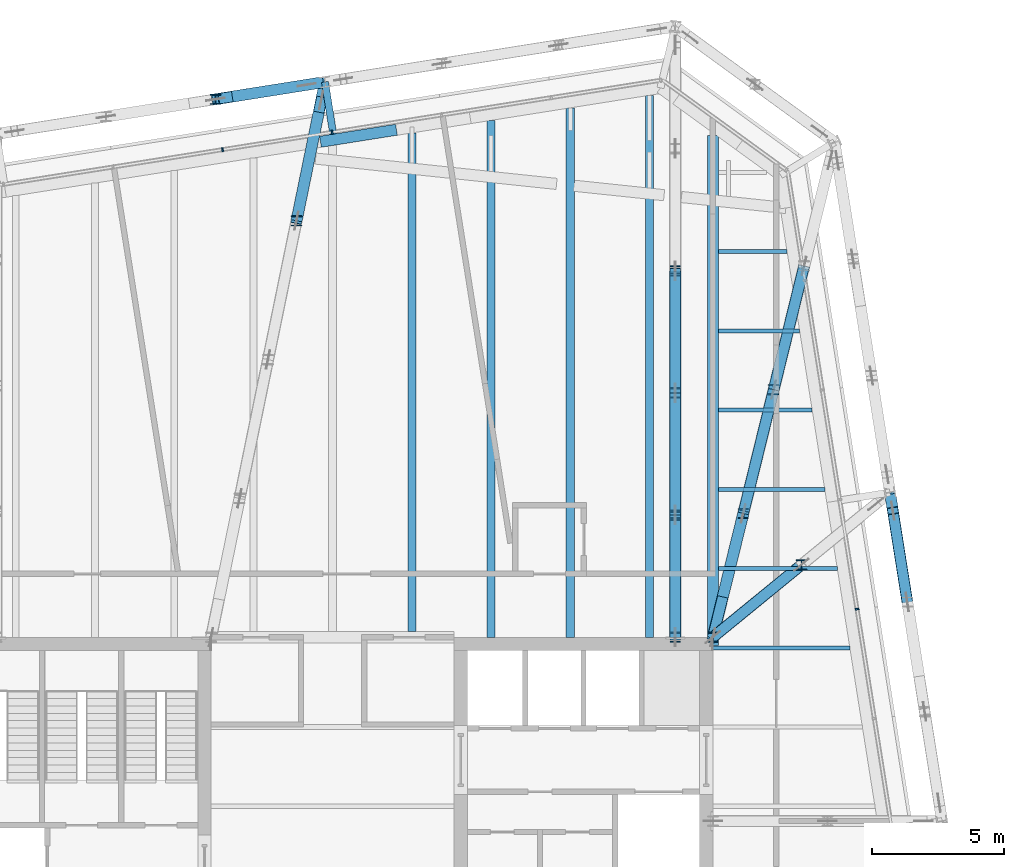
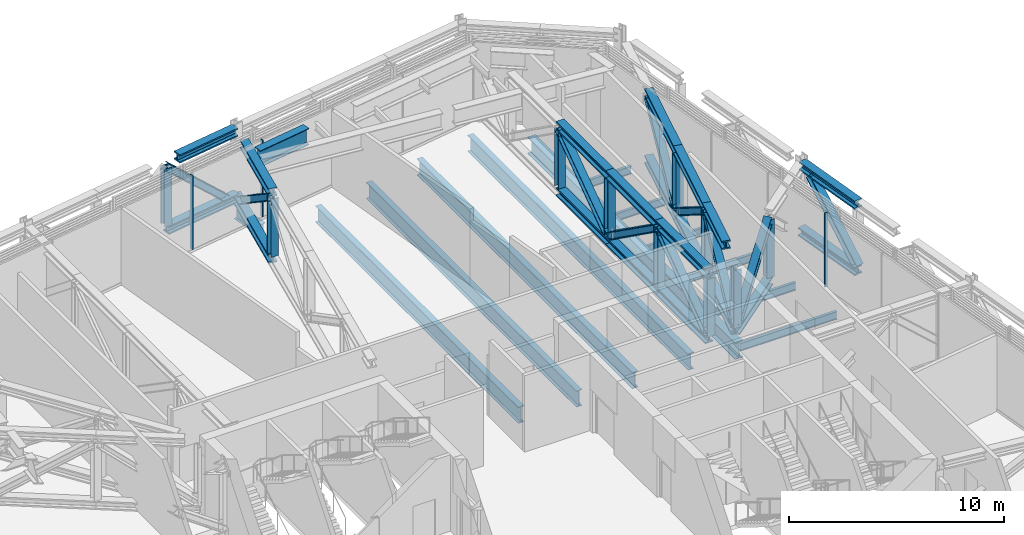
# One storey, part 17 of 32: 32 beams, 23 members, 2 elements without a shape of their own.
"""IFC4 building model written with IfcOpenShell, lengths in metres."""

from ifc_helpers import new_model, si_unit, direction, frame, origin, origin_2d, place, context, subcontext, project, spatial, rectangle, i_section, extrude, material, layer, layer_set, material_profile, profile_set, type_object, element, aggregate, save


model = new_model("IFC4")

# Units and contexts
model_context = context("Model", 3, precision=1e-05, world=origin(), true_north=direction((0.0, 1.0)))
body_context = subcontext(model_context, "Body", "Model", "MODEL_VIEW")
ifc_project = project(units=[si_unit("LENGTHUNIT", "METRE"), si_unit("AREAUNIT", "SQUARE_METRE"), si_unit("VOLUMEUNIT", "CUBIC_METRE"), si_unit("PLANEANGLEUNIT", "RADIAN"), si_unit("MASSUNIT", "GRAM", prefix="KILO")], contexts=[model_context])

# Site, building, storey
site_placement = place(None, origin())
site = spatial("IfcSite", under=ifc_project, at=site_placement, CompositionType="ELEMENT")
building_placement = place(site_placement, origin())
building = spatial("IfcBuilding", under=site, at=building_placement, Name="Millrace Tower", CompositionType="ELEMENT")
storey_placement = place(building_placement, frame((0.0, 0.0, 266.89990234375)))
storey = spatial("IfcBuildingStorey", under=building, at=storey_placement, Name="L61", CompositionType="ELEMENT", Elevation=266.89990234375)

# Beams
ifc_material_1 = material(Name="Steel ASTM A992 Grade 50", Category="steel")
ifc_material_profile_1 = material_profile(ifc_material_1, i_section(OverallWidth=0.424072265625, OverallDepth=0.47509765625, WebThickness=0.0478515625, FlangeThickness=0.0771484375, FilletRadius=0.014892578125, at=origin_2d()))
ifc_profile_set_1 = profile_set([ifc_material_profile_1], Name="Steel ASTM A992 Grade 50")
beam_type_1 = type_object("IfcBeamType", Name="Belt truss chord W14x426", PredefinedType="BEAM", material=ifc_profile_set_1)
beam_1_placement = place(storey_placement, frame((21.763671875, 10.735107421875, 0.237548828125), z_axis=(-0.156428225752, 0.987689328781, 0.0), x_axis=(-0.987689328781, -0.156428225752, 0.0)))
element("IfcBeam", 1, at=beam_1_placement, inside=storey, type_object=beam_type_1, Name="BLT-L61-R07-B03", PredefinedType="BEAM", context=body_context, shape_type="SweptSolid", body=[
    extrude(i_section(OverallWidth=0.424072265625, OverallDepth=0.47509765625, WebThickness=0.0478515625, FlangeThickness=0.0771484375, FilletRadius=0.014892578125, at=origin_2d()), origin(), (0.0, 0.0, 1.0), 4.199951171875),
])
beam_2_placement = place(storey_placement, frame((-0.288330078125, 30.427734375, 0.237548828125), z_axis=(-0.987690751091, -0.156419245009, 0.0), x_axis=(0.156419245009, -0.987690751091, 0.0)))
element("IfcBeam", 2, at=beam_2_placement, inside=storey, type_object=beam_type_1, Name="BLT-L61-R11-B01", PredefinedType="BEAM", context=body_context, shape_type="SweptSolid", body=[
    extrude(i_section(OverallWidth=0.424072265625, OverallDepth=0.47509765625, WebThickness=0.0478515625, FlangeThickness=0.0771484375, FilletRadius=0.014892578125, at=origin_2d()), origin(), (0.0, 0.0, 1.0), 4.2001953125),
])
beam_3_placement = place(storey_placement, frame((21.763671875, 10.735107421875, 4.002685546875), z_axis=(-0.156426506822, 0.98768960102, 0.0), x_axis=(-0.98768960102, -0.156426506822, 0.0)))
element("IfcBeam", 3, at=beam_3_placement, inside=storey, type_object=beam_type_1, Name="BLT-L61-R07-T03", PredefinedType="BEAM", context=body_context, shape_type="SweptSolid", body=[
    extrude(i_section(OverallWidth=0.424072265625, OverallDepth=0.47509765625, WebThickness=0.0478515625, FlangeThickness=0.0771484375, FilletRadius=0.014892578125, at=origin_2d()), origin(), (0.0, 0.0, 1.0), 4.13427734375),
])
beam_4_placement = place(storey_placement, frame((-0.353271484375, 30.41748046875, 4.002685546875), z_axis=(-0.987686225577, -0.156447818155, 0.0), x_axis=(0.156447818155, -0.987686225577, 0.0)))
element("IfcBeam", 4, at=beam_4_placement, inside=storey, type_object=beam_type_1, Name="BLT-L61-R11-T01", PredefinedType="BEAM", context=body_context, shape_type="SweptSolid", body=[
    extrude(i_section(OverallWidth=0.424072265625, OverallDepth=0.47509765625, WebThickness=0.0478515625, FlangeThickness=0.0771484375, FilletRadius=0.014892578125, at=origin_2d()), origin(), (0.0, 0.0, 1.0), 3.48779296875),
])

# Members
ifc_material_2 = material(Name="Steel ASTM A992 Grade 50", Category="steel")
ifc_material_profile_2 = material_profile(ifc_material_2, i_section(OverallWidth=0.398681640625, OverallDepth=0.385986328125, WebThickness=0.02099609375, FlangeThickness=0.033203125, FilletRadius=0.01513671875, at=origin_2d()))
ifc_profile_set_2 = profile_set([ifc_material_profile_2], Name="Steel ASTM A992 Grade 50")
member_type_1 = type_object("IfcMemberType", Name="Belt truss diagonal W14x176", PredefinedType="BRACE", material=ifc_profile_set_2)
member_1_placement = place(storey_placement, frame((21.763671875, 10.735107421875, 0.47509765625), z_axis=(-0.114001763677, 0.719639309811, 0.684925442405), x_axis=(-0.987683654859, -0.156464046744, 0.0)))
element("IfcMember", 5, at=member_1_placement, inside=storey, type_object=member_type_1, Name="BLT-L61-R07-D03", PredefinedType="BRACE", context=body_context, shape_type="SweptSolid", body=[
    extrude(i_section(OverallWidth=0.398681640625, OverallDepth=0.385986328125, WebThickness=0.02099609375, FlangeThickness=0.033203125, FilletRadius=0.01513671875, at=origin_2d()), origin(), (0.0, 0.0, 1.0), 4.803466796875),
])
member_2_placement = place(storey_placement, frame((-0.979736328125, 30.318359375, 0.47509765625), z_axis=(-0.719663812455, -0.113997594021, 0.684900391006), x_axis=(0.156453267504, -0.987685362394, 0.0)))
element("IfcMember", 6, at=member_2_placement, inside=storey, type_object=member_type_1, Name="BLT-L61-R11-D01", PredefinedType="BRACE", context=body_context, shape_type="SweptSolid", body=[
    extrude(i_section(OverallWidth=0.398681640625, OverallDepth=0.385986328125, WebThickness=0.02099609375, FlangeThickness=0.033203125, FilletRadius=0.01513671875, at=origin_2d()), origin(), (0.0, 0.0, 1.0), 4.8037109375),
])
ifc_material_3 = material(Name="Steel ASTM A992 Grade 50", Category="steel")
ifc_material_profile_3 = material_profile(ifc_material_3, i_section(OverallWidth=0.393798828125, OverallDepth=0.3759765625, WebThickness=0.017333984375, FlangeThickness=0.027587890625, FilletRadius=0.01513671875, at=origin_2d()))
ifc_profile_set_3 = profile_set([ifc_material_profile_3], Name="Steel ASTM A992 Grade 50")
member_type_2 = type_object("IfcMemberType", Name="Belt truss post W14x145", PredefinedType="POST", material=ifc_profile_set_3)
member_3_placement = place(storey_placement, frame((-4.436767578125, 29.770751953125, 0.47509765625), z_axis=(0.0, 0.0, 1.0), x_axis=(1.0, 0.0, 0.0)))
element("IfcMember", 7, at=member_3_placement, inside=storey, type_object=member_type_2, Name="BLT-L61-R11-V01", PredefinedType="POST", context=body_context, shape_type="SweptSolid", body=[
    extrude(i_section(OverallWidth=0.393798828125, OverallDepth=0.3759765625, WebThickness=0.017333984375, FlangeThickness=0.027587890625, FilletRadius=0.01513671875, at=origin_2d()), origin(), (0.0, 0.0, 1.0), 3.2900390625),
])

# Curtain wall, member
ifc_material_4 = material(Name="Aluminium and glass", Category="aluminium")
ifc_layer = layer(ifc_material_4, 0.14990234375)
ifc_layer_set = layer_set([ifc_layer], Name="Aluminium and glass")
curtain_wall_type = type_object("IfcCurtainWallType", Name="CW-5 truss and plant storey louvred infill", PredefinedType="NOTDEFINED", material=ifc_layer_set)
placement = place(storey_placement, origin())
curtain_wall_1 = element("IfcCurtainWall", 8, at=placement, inside=storey, type_object=curtain_wall_type, Name="Curtain wall D-F04 L61", PredefinedType="NOTDEFINED")
ifc_material_5 = material(Name="Aluminium", Category="aluminium")
ifc_material_profile_4 = material_profile(ifc_material_5, rectangle(XDim=0.06494140625, YDim=0.14990234375, at=origin_2d()))
ifc_profile_set_4 = profile_set([ifc_material_profile_4], Name="Aluminium")
member_type_3 = type_object("IfcMemberType", Name="CW-5 truss and plant storey louvred infill mullion", PredefinedType="MULLION", material=ifc_profile_set_4)
member_4_placement = place(storey_placement, frame((19.857421875, 10.466064453125, 0.14013671875), z_axis=(0.0, 0.0, 1.0), x_axis=(-0.156434471884, 0.987688339511, 0.0)))
member_4 = element("IfcMember", 9, at=member_4_placement, type_object=member_type_3, Name="CW5 mullion D-F04.6", PredefinedType="MULLION", context=body_context, shape_type="SweptSolid", body=[
    extrude(rectangle(XDim=0.06494140625, YDim=0.14990234375, at=origin_2d()), origin(), (0.0, 0.0, 1.0), 4.199951171875),
])
aggregate(curtain_wall_1, [member_4])

# Curtain wall, members
curtain_wall_2 = element("IfcCurtainWall", 10, at=placement, inside=storey, type_object=curtain_wall_type, Name="Curtain wall D-F06 L61", PredefinedType="NOTDEFINED")
member_5_placement = place(storey_placement, frame((-0.019287109375, 28.521240234375, 0.14013671875), z_axis=(0.0, 0.0, 1.0), x_axis=(-0.987688339511, -0.156434471884, 0.0)))
member_5 = element("IfcMember", 11, at=member_5_placement, type_object=member_type_3, Name="CW5 mullion D-F06.4", PredefinedType="MULLION", context=body_context, shape_type="SweptSolid", body=[
    extrude(rectangle(XDim=0.06494140625, YDim=0.14990234375, at=origin_2d()), origin(), (0.0, 0.0, 1.0), 4.35986328125),
])
member_6_placement = place(storey_placement, frame((-4.167724609375, 27.8642578125, 0.14013671875), z_axis=(0.0, 0.0, 1.0), x_axis=(-0.987688339511, -0.156434471884, 0.0)))
member_6 = element("IfcMember", 12, at=member_6_placement, type_object=member_type_3, Name="CW5 mullion D-F06.5", PredefinedType="MULLION", context=body_context, shape_type="SweptSolid", body=[
    extrude(rectangle(XDim=0.06494140625, YDim=0.14990234375, at=origin_2d()), origin(), (0.0, 0.0, 1.0), 4.199951171875),
])
aggregate(curtain_wall_2, [member_5, member_6])

# Beams
ifc_material_6 = material(Name="Steel ASTM A992 Grade 50", Category="steel")
ifc_material_profile_5 = material_profile(ifc_material_6, i_section(OverallWidth=0.15234375, OverallDepth=0.449462890625, WebThickness=0.007568359375, FlangeThickness=0.0107421875, FilletRadius=0.01025390625, at=origin_2d()))
ifc_profile_set_5 = profile_set([ifc_material_profile_5], Name="Steel ASTM A992 Grade 50")
beam_type_2 = type_object("IfcBeamType", Name="Floor beam W18x35", PredefinedType="JOIST", material=ifc_profile_set_5)
beam_5_placement = place(storey_placement, frame((14.39990234375, 9.0, -0.474609375), z_axis=(1.0, 0.0, 0.0), x_axis=(0.0, 1.0, 0.0)))
element("IfcBeam", 13, at=beam_5_placement, inside=storey, type_object=beam_type_2, Name="BM-D-L61-S1-S024", PredefinedType="JOIST", context=body_context, shape_type="SweptSolid", body=[
    extrude(i_section(OverallWidth=0.15234375, OverallDepth=0.449462890625, WebThickness=0.007568359375, FlangeThickness=0.0107421875, FilletRadius=0.01025390625, at=origin_2d()), origin(), (0.0, 0.0, 1.0), 5.186767578125),
])
beam_6_placement = place(storey_placement, frame((14.612060546875, 12.0, -0.474609375), z_axis=(1.0, 0.0, 0.0), x_axis=(0.0, 1.0, 0.0)))
element("IfcBeam", 14, at=beam_6_placement, inside=storey, type_object=beam_type_2, Name="BM-D-L61-S1-S026", PredefinedType="JOIST", context=body_context, shape_type="SweptSolid", body=[
    extrude(i_section(OverallWidth=0.15234375, OverallDepth=0.449462890625, WebThickness=0.007568359375, FlangeThickness=0.0107421875, FilletRadius=0.01025390625, at=origin_2d()), origin(), (0.0, 0.0, 1.0), 4.49951171875),
])
beam_7_placement = place(storey_placement, frame((14.612060546875, 15.0, -0.474609375), z_axis=(1.0, 0.0, 0.0), x_axis=(0.0, 1.0, 0.0)))
element("IfcBeam", 15, at=beam_7_placement, inside=storey, type_object=beam_type_2, Name="BM-D-L61-S1-S028", PredefinedType="JOIST", context=body_context, shape_type="SweptSolid", body=[
    extrude(i_section(OverallWidth=0.15234375, OverallDepth=0.449462890625, WebThickness=0.007568359375, FlangeThickness=0.0107421875, FilletRadius=0.01025390625, at=origin_2d()), origin(), (0.0, 0.0, 1.0), 4.0244140625),
])
beam_8_placement = place(storey_placement, frame((14.612060546875, 18.0, -0.474609375), z_axis=(1.0, 0.0, 0.0), x_axis=(0.0, 1.0, 0.0)))
element("IfcBeam", 16, at=beam_8_placement, inside=storey, type_object=beam_type_2, Name="BM-D-L61-S1-S030", PredefinedType="JOIST", context=body_context, shape_type="SweptSolid", body=[
    extrude(i_section(OverallWidth=0.15234375, OverallDepth=0.449462890625, WebThickness=0.007568359375, FlangeThickness=0.0107421875, FilletRadius=0.01025390625, at=origin_2d()), origin(), (0.0, 0.0, 1.0), 3.549072265625),
])
beam_9_placement = place(storey_placement, frame((14.612060546875, 21.0, -0.474609375), z_axis=(1.0, 0.0, 0.0), x_axis=(0.0, 1.0, 0.0)))
element("IfcBeam", 17, at=beam_9_placement, inside=storey, type_object=beam_type_2, Name="BM-D-L61-S1-S032", PredefinedType="JOIST", context=body_context, shape_type="SweptSolid", body=[
    extrude(i_section(OverallWidth=0.15234375, OverallDepth=0.449462890625, WebThickness=0.007568359375, FlangeThickness=0.0107421875, FilletRadius=0.01025390625, at=origin_2d()), origin(), (0.0, 0.0, 1.0), 3.073974609375),
])
beam_10_placement = place(storey_placement, frame((14.612060546875, 24.0, -0.474609375), z_axis=(1.0, 0.0, 0.0), x_axis=(0.0, 1.0, 0.0)))
element("IfcBeam", 18, at=beam_10_placement, inside=storey, type_object=beam_type_2, Name="BM-D-L61-S1-S034", PredefinedType="JOIST", context=body_context, shape_type="SweptSolid", body=[
    extrude(i_section(OverallWidth=0.15234375, OverallDepth=0.449462890625, WebThickness=0.007568359375, FlangeThickness=0.0107421875, FilletRadius=0.01025390625, at=origin_2d()), origin(), (0.0, 0.0, 1.0), 2.598876953125),
])
ifc_material_7 = material(Name="Steel ASTM A992 Grade 50", Category="steel")
ifc_material_profile_6 = material_profile(ifc_material_7, i_section(OverallWidth=0.307373046875, OverallDepth=0.927001953125, WebThickness=0.01953125, FlangeThickness=0.031982421875, FilletRadius=0.01904296875, at=origin_2d()))
ifc_profile_set_6 = profile_set([ifc_material_profile_6], Name="Steel ASTM A992 Grade 50")
beam_type_3 = type_object("IfcBeamType", Name="Floor beam W36x194", PredefinedType="JOIST", material=ifc_profile_set_6)
beam_11_placement = place(storey_placement, frame((3.0, 9.612060546875, -0.71337890625), z_axis=(0.0, 1.0, 0.0), x_axis=(-1.0, 0.0, 0.0)))
element("IfcBeam", 19, at=beam_11_placement, inside=storey, type_object=beam_type_3, Name="BM-D-L61-S1-S046", PredefinedType="JOIST", context=body_context, shape_type="SweptSolid", body=[
    extrude(i_section(OverallWidth=0.307373046875, OverallDepth=0.927001953125, WebThickness=0.01953125, FlangeThickness=0.031982421875, FilletRadius=0.01904296875, at=origin_2d()), origin(), (0.0, 0.0, 1.0), 18.884765625),
])
beam_12_placement = place(storey_placement, frame((6.0, 9.39990234375, -0.71337890625), z_axis=(0.0, 1.0, 0.0), x_axis=(-1.0, 0.0, 0.0)))
element("IfcBeam", 20, at=beam_12_placement, inside=storey, type_object=beam_type_3, Name="BM-D-L61-S1-S048", PredefinedType="JOIST", context=body_context, shape_type="SweptSolid", body=[
    extrude(i_section(OverallWidth=0.307373046875, OverallDepth=0.927001953125, WebThickness=0.01953125, FlangeThickness=0.031982421875, FilletRadius=0.01904296875, at=origin_2d()), origin(), (0.0, 0.0, 1.0), 19.572021484375),
])
beam_13_placement = place(storey_placement, frame((9.0, 9.39990234375, -0.71337890625), z_axis=(0.0, 1.0, 0.0), x_axis=(-1.0, 0.0, 0.0)))
element("IfcBeam", 21, at=beam_13_placement, inside=storey, type_object=beam_type_3, Name="BM-D-L61-S1-S050", PredefinedType="JOIST", context=body_context, shape_type="SweptSolid", body=[
    extrude(i_section(OverallWidth=0.307373046875, OverallDepth=0.927001953125, WebThickness=0.01953125, FlangeThickness=0.031982421875, FilletRadius=0.01904296875, at=origin_2d()), origin(), (0.0, 0.0, 1.0), 20.047119140625),
])
beam_14_placement = place(storey_placement, frame((12.0, 9.39990234375, -0.71337890625), z_axis=(0.0, 1.0, 0.0), x_axis=(-1.0, 0.0, 0.0)))
element("IfcBeam", 22, at=beam_14_placement, inside=storey, type_object=beam_type_3, Name="BM-D-L61-S1-S052", PredefinedType="JOIST", context=body_context, shape_type="SweptSolid", body=[
    extrude(i_section(OverallWidth=0.307373046875, OverallDepth=0.927001953125, WebThickness=0.01953125, FlangeThickness=0.031982421875, FilletRadius=0.01904296875, at=origin_2d()), origin(), (0.0, 0.0, 1.0), 20.522216796875),
])
ifc_material_8 = material(Name="Steel ASTM A992 Grade 50", Category="steel")
ifc_material_profile_7 = material_profile(ifc_material_8, i_section(OverallWidth=0.424072265625, OverallDepth=0.947509765625, WebThickness=0.02392578125, FlangeThickness=0.042724609375, FilletRadius=0.024169921875, at=origin_2d()))
ifc_profile_set_7 = profile_set([ifc_material_profile_7], Name="Steel ASTM A992 Grade 50")
beam_type_4 = type_object("IfcBeamType", Name="Girder medium span W36x302", PredefinedType="BEAM", material=ifc_profile_set_7)
beam_15_placement = place(storey_placement, frame((14.39990234375, 9.080078125, -0.7236328125), z_axis=(0.0, 1.0, 0.0), x_axis=(-1.0, 0.0, 0.0)))
element("IfcBeam", 23, at=beam_15_placement, inside=storey, type_object=beam_type_4, Name="BM-D-L61-S1-G056", PredefinedType="BEAM", context=body_context, shape_type="SweptSolid", body=[
    extrude(i_section(OverallWidth=0.424072265625, OverallDepth=0.947509765625, WebThickness=0.02392578125, FlangeThickness=0.042724609375, FilletRadius=0.024169921875, at=origin_2d()), origin(), (0.0, 0.0, 1.0), 19.319580078125),
])
ifc_material_9 = material(Name="Steel ASTM A992 Grade 50", Category="steel")
ifc_material_profile_8 = material_profile(ifc_material_9, i_section(OverallWidth=0.2666015625, OverallDepth=0.7568359375, WebThickness=0.013916015625, FlangeThickness=0.019287109375, FilletRadius=0.0166015625, at=origin_2d()))
ifc_profile_set_8 = profile_set([ifc_material_profile_8], Name="Steel ASTM A992 Grade 50")
beam_type_5 = type_object("IfcBeamType", Name="Link beam W30x108", PredefinedType="BEAM", material=ifc_profile_set_8)
beam_16_placement = place(storey_placement, frame((0.0244140625, 28.452392578125, -0.62841796875), z_axis=(-0.15637629034, 0.987697552806, 0.0), x_axis=(-0.987697552806, -0.15637629034, 0.0)))
element("IfcBeam", 24, at=beam_16_placement, inside=storey, type_object=beam_type_5, Name="LNK-D-L61-S1-07", PredefinedType="BEAM", context=body_context, shape_type="SweptSolid", body=[
    extrude(i_section(OverallWidth=0.2666015625, OverallDepth=0.7568359375, WebThickness=0.013916015625, FlangeThickness=0.019287109375, FilletRadius=0.0166015625, at=origin_2d()), origin(), (0.0, 0.0, 1.0), 2.0),
])
ifc_material_10 = material(Name="Steel ASTM A992 Grade 50", Category="steel")
ifc_material_profile_9 = material_profile(ifc_material_10, i_section(OverallWidth=0.424072265625, OverallDepth=0.47509765625, WebThickness=0.0478515625, FlangeThickness=0.0771484375, FilletRadius=0.014892578125, at=origin_2d()))
ifc_profile_set_9 = profile_set([ifc_material_profile_9], Name="Steel ASTM A992 Grade 50")
beam_type_6 = type_object("IfcBeamType", Name="Outrigger truss chord W14x426", PredefinedType="BEAM", material=ifc_profile_set_9)
beam_17_placement = place(storey_placement, frame((14.39990234375, 9.39990234375, 0.237548828125), z_axis=(0.774193297666, 0.632949237972, 0.0), x_axis=(-0.632949237972, 0.774193297666, 0.0)))
element("IfcBeam", 25, at=beam_17_placement, inside=storey, type_object=beam_type_6, Name="BLT-L61-O08-B01", PredefinedType="BEAM", context=body_context, shape_type="SweptSolid", body=[
    extrude(i_section(OverallWidth=0.424072265625, OverallDepth=0.47509765625, WebThickness=0.0478515625, FlangeThickness=0.0771484375, FilletRadius=0.014892578125, at=origin_2d()), origin(), (0.0, 0.0, 1.0), 4.33154296875),
])
beam_18_placement = place(storey_placement, frame((14.39990234375, 9.39990234375, 0.237548828125), z_axis=(0.238617640527, 0.971113598725, 0.0), x_axis=(-0.971113598725, 0.238617640527, 0.0)))
element("IfcBeam", 26, at=beam_18_placement, inside=storey, type_object=beam_type_6, Name="BLT-L61-O09-B01", PredefinedType="BEAM", context=body_context, shape_type="SweptSolid", body=[
    extrude(i_section(OverallWidth=0.424072265625, OverallDepth=0.47509765625, WebThickness=0.0478515625, FlangeThickness=0.0771484375, FilletRadius=0.014892578125, at=origin_2d()), origin(), (0.0, 0.0, 1.0), 4.826171875),
])
for number, where, z_axis, x_axis, name in (
    (27, (15.551513671875, 14.086669921875, 0.237548828125), (0.238581653953, 0.971122440476, 0.0), (-0.971122440476, 0.238581653953, 0.0), "BLT-L61-O09-B02"),
    (28, (15.551513671875, 14.086669921875, 4.002685546875), (0.238581653953, 0.971122440476, 0.0), (-0.971122440476, 0.238581653953, 0.0), "BLT-L61-O09-T02"),
    (29, (16.702880859375, 18.773193359375, 0.237548828125), (0.238629363288, 0.971110718186, 0.0), (-0.971110718186, 0.238629363288, 0.0), "BLT-L61-O09-B03"),
    (30, (16.702880859375, 18.773193359375, 4.002685546875), (0.238629363288, 0.971110718186, 0.0), (-0.971110718186, 0.238629363288, 0.0), "BLT-L61-O09-T03"),
):
    element("IfcBeam", number, at=place(storey_placement, frame(where, z_axis=z_axis, x_axis=x_axis)), inside=storey, type_object=beam_type_6, Name=name, PredefinedType="BEAM", context=body_context, shape_type="SweptSolid", body=[
        extrude(i_section(OverallWidth=0.424072265625, OverallDepth=0.47509765625, WebThickness=0.0478515625, FlangeThickness=0.0771484375, FilletRadius=0.014892578125, at=origin_2d()), origin(), (0.0, 0.0, 1.0), 4.825927734375),
    ])
for number, where, z_axis, x_axis, name in (
    (31, (12.974609375, 9.39990234375, 0.237548828125), (0.0, 1.0, 0.0), (-1.0, 0.0, 0.0), "BLT-L61-O10-B01"),
    (32, (12.974609375, 9.39990234375, 4.002685546875), (0.0, 1.0, 0.0), (-1.0, 0.0, 0.0), "BLT-L61-O10-T01"),
    (33, (12.974609375, 14.025634765625, 0.237548828125), (0.0, 1.0, 0.0), (-1.0, 0.0, 0.0), "BLT-L61-O10-B02"),
    (34, (12.974609375, 14.025634765625, 4.002685546875), (0.0, 1.0, 0.0), (-1.0, 0.0, 0.0), "BLT-L61-O10-T02"),
    (35, (12.974609375, 18.6513671875, 0.237548828125), (0.0, 1.0, 0.0), (-1.0, 0.0, 0.0), "BLT-L61-O10-B03"),
    (36, (12.974609375, 18.6513671875, 4.002685546875), (0.0, 1.0, 0.0), (-1.0, 0.0, 0.0), "BLT-L61-O10-T03"),
):
    element("IfcBeam", number, at=place(storey_placement, frame(where, z_axis=z_axis, x_axis=x_axis)), inside=storey, type_object=beam_type_6, Name=name, PredefinedType="BEAM", context=body_context, shape_type="SweptSolid", body=[
        extrude(i_section(OverallWidth=0.424072265625, OverallDepth=0.47509765625, WebThickness=0.0478515625, FlangeThickness=0.0771484375, FilletRadius=0.014892578125, at=origin_2d()), origin(), (0.0, 0.0, 1.0), 4.625732421875),
    ])
beam_19_placement = place(storey_placement, frame((-1.3662109375, 25.1708984375, 0.237548828125), z_axis=(0.200864661475, 0.979619001332, 0.0), x_axis=(-0.979619001332, 0.200864661475, 0.0)))
element("IfcBeam", 37, at=beam_19_placement, inside=storey, type_object=beam_type_6, Name="BLT-L61-O11-B04", PredefinedType="BEAM", context=body_context, shape_type="SweptSolid", body=[
    extrude(i_section(OverallWidth=0.424072265625, OverallDepth=0.47509765625, WebThickness=0.0478515625, FlangeThickness=0.0771484375, FilletRadius=0.014892578125, at=origin_2d()), origin(), (0.0, 0.0, 1.0), 5.3662109375),
])
beam_20_placement = place(storey_placement, frame((14.775634765625, 10.928466796875, 4.002685546875), z_axis=(0.238576903579, 0.971123607518, 0.0), x_axis=(-0.971123607518, 0.238576903579, 0.0)))
element("IfcBeam", 38, at=beam_20_placement, inside=storey, type_object=beam_type_6, Name="BLT-L61-O09-T01", PredefinedType="BEAM", context=body_context, shape_type="SweptSolid", body=[
    extrude(i_section(OverallWidth=0.424072265625, OverallDepth=0.47509765625, WebThickness=0.0478515625, FlangeThickness=0.0771484375, FilletRadius=0.014892578125, at=origin_2d()), origin(), (0.0, 0.0, 1.0), 3.252197265625),
])
beam_21_placement = place(storey_placement, frame((-1.3662109375, 25.1708984375, 4.002685546875), z_axis=(0.200858240517, 0.979620317887, 0.0), x_axis=(-0.979620317887, 0.200858240517, 0.0)))
element("IfcBeam", 39, at=beam_21_placement, inside=storey, type_object=beam_type_6, Name="BLT-L61-O11-T04", PredefinedType="BEAM", context=body_context, shape_type="SweptSolid", body=[
    extrude(i_section(OverallWidth=0.424072265625, OverallDepth=0.47509765625, WebThickness=0.0478515625, FlangeThickness=0.0771484375, FilletRadius=0.014892578125, at=origin_2d()), origin(), (0.0, 0.0, 1.0), 4.19580078125),
])

# Members
ifc_material_11 = material(Name="Steel ASTM A992 Grade 50", Category="steel")
ifc_material_profile_10 = material_profile(ifc_material_11, i_section(OverallWidth=0.398681640625, OverallDepth=0.385986328125, WebThickness=0.02099609375, FlangeThickness=0.033203125, FilletRadius=0.01513671875, at=origin_2d()))
ifc_profile_set_10 = profile_set([ifc_material_profile_10], Name="Steel ASTM A992 Grade 50")
member_type_4 = type_object("IfcMemberType", Name="Outrigger truss diagonal W14x176", PredefinedType="BRACE", material=ifc_profile_set_10)
member_7_placement = place(storey_placement, frame((14.39990234375, 9.39990234375, 0.47509765625), z_axis=(0.616520302218, 0.504042151565, 0.604850581879), x_axis=(-0.632949237972, 0.774193297666, 0.0)))
element("IfcMember", 40, at=member_7_placement, inside=storey, type_object=member_type_4, Name="BLT-L61-O08-D01", PredefinedType="BRACE", context=body_context, shape_type="SweptSolid", body=[
    extrude(i_section(OverallWidth=0.398681640625, OverallDepth=0.385986328125, WebThickness=0.02099609375, FlangeThickness=0.033203125, FilletRadius=0.01513671875, at=origin_2d()), origin(), (0.0, 0.0, 1.0), 5.439453125),
])
member_8_placement = place(storey_placement, frame((14.39990234375, 9.39990234375, 0.47509765625), z_axis=(0.197162633048, 0.802402176517, 0.563274039212), x_axis=(-0.971113598725, 0.238617640527, 0.0)))
element("IfcMember", 41, at=member_8_placement, inside=storey, type_object=member_type_4, Name="BLT-L61-O09-D01", PredefinedType="BRACE", context=body_context, shape_type="SweptSolid", body=[
    extrude(i_section(OverallWidth=0.398681640625, OverallDepth=0.385986328125, WebThickness=0.02099609375, FlangeThickness=0.033203125, FilletRadius=0.01513671875, at=origin_2d()), origin(), (0.0, 0.0, 1.0), 5.8408203125),
])
member_9_placement = place(storey_placement, frame((16.702880859375, 18.773193359375, 0.47509765625), z_axis=(-0.197129070641, -0.802393901619, 0.56329757336), x_axis=(0.971122440476, -0.238581653953, 0.0)))
element("IfcMember", 42, at=member_9_placement, inside=storey, type_object=member_type_4, Name="BLT-L61-O09-D02", PredefinedType="BRACE", context=body_context, shape_type="SweptSolid", body=[
    extrude(i_section(OverallWidth=0.398681640625, OverallDepth=0.385986328125, WebThickness=0.02099609375, FlangeThickness=0.033203125, FilletRadius=0.01513671875, at=origin_2d()), origin(), (0.0, 0.0, 1.0), 5.840576171875),
])
member_10_placement = place(storey_placement, frame((16.702880859375, 18.773193359375, 0.47509765625), z_axis=(0.197169245857, 0.802387289269, 0.563292931349), x_axis=(-0.971110718186, 0.238629363288, 0.0)))
element("IfcMember", 43, at=member_10_placement, inside=storey, type_object=member_type_4, Name="BLT-L61-O09-D03", PredefinedType="BRACE", context=body_context, shape_type="SweptSolid", body=[
    extrude(i_section(OverallWidth=0.398681640625, OverallDepth=0.385986328125, WebThickness=0.02099609375, FlangeThickness=0.033203125, FilletRadius=0.01513671875, at=origin_2d()), origin(), (0.0, 0.0, 1.0), 5.8408203125),
])
for number, where, z_axis, x_axis, name in (
    (44, (12.974609375, 9.39990234375, 0.47509765625), (0.0, 0.814902959272, 0.579597418016), (-1.0, 0.0, 0.0), "BLT-L61-O10-D01"),
    (45, (12.974609375, 18.6513671875, 0.47509765625), (0.0, -0.814902959272, 0.579597418016), (1.0, 0.0, 0.0), "BLT-L61-O10-D02"),
    (46, (12.974609375, 18.6513671875, 0.47509765625), (0.0, 0.814902959272, 0.579597418016), (-1.0, 0.0, 0.0), "BLT-L61-O10-D03"),
):
    element("IfcMember", number, at=place(storey_placement, frame(where, z_axis=z_axis, x_axis=x_axis)), inside=storey, type_object=member_type_4, Name=name, PredefinedType="BRACE", context=body_context, shape_type="SweptSolid", body=[
        extrude(i_section(OverallWidth=0.398681640625, OverallDepth=0.385986328125, WebThickness=0.02099609375, FlangeThickness=0.033203125, FilletRadius=0.01513671875, at=origin_2d()), origin(), (0.0, 0.0, 1.0), 5.676513671875),
    ])
member_11_placement = place(storey_placement, frame((-0.428955078125, 29.741943359375, 0.47509765625), z_axis=(-0.164160109902, -0.800617279943, 0.576249450649), x_axis=(0.979619334597, -0.200863036133, 0.0)))
element("IfcMember", 47, at=member_11_placement, inside=storey, type_object=member_type_4, Name="BLT-L61-O11-D04", PredefinedType="BRACE", context=body_context, shape_type="SweptSolid", body=[
    extrude(i_section(OverallWidth=0.398681640625, OverallDepth=0.385986328125, WebThickness=0.02099609375, FlangeThickness=0.033203125, FilletRadius=0.01513671875, at=origin_2d()), origin(), (0.0, 0.0, 1.0), 5.70947265625),
])
ifc_material_12 = material(Name="Steel ASTM A992 Grade 50", Category="steel")
ifc_material_profile_11 = material_profile(ifc_material_12, i_section(OverallWidth=0.393798828125, OverallDepth=0.3759765625, WebThickness=0.017333984375, FlangeThickness=0.027587890625, FilletRadius=0.01513671875, at=origin_2d()))
ifc_profile_set_11 = profile_set([ifc_material_profile_11], Name="Steel ASTM A992 Grade 50")
member_type_5 = type_object("IfcMemberType", Name="Outrigger truss post W14x145", PredefinedType="POST", material=ifc_profile_set_11)
for number, where, z_axis, x_axis, name in (
    (48, (14.39990234375, 9.39990234375, 0.47509765625), (0.0, 0.0, 1.0), (1.0, 0.0, 0.0), "BLT-L61-O08-V00"),
    (49, (17.75341796875, 12.1416015625, 0.47509765625), (0.0, 0.0, 1.0), (1.0, 0.0, 0.0), "BLT-L61-O08-V01"),
    (50, (15.551513671875, 14.086669921875, 0.47509765625), (0.0, 0.0, 1.0), (1.0, 0.0, 0.0), "BLT-L61-O09-V01"),
    (51, (16.702880859375, 18.773193359375, 0.47509765625), (0.0, 0.0, 1.0), (1.0, 0.0, 0.0), "BLT-L61-O09-V02"),
    (52, (12.974609375, 9.39990234375, 0.47509765625), (0.0, 0.0, 1.0), (1.0, 0.0, 0.0), "BLT-L61-O10-V00"),
    (53, (12.974609375, 14.025634765625, 0.47509765625), (0.0, 0.0, 1.0), (1.0, 0.0, 0.0), "BLT-L61-O10-V01"),
    (54, (12.974609375, 18.6513671875, 0.47509765625), (0.0, 0.0, 1.0), (1.0, 0.0, 0.0), "BLT-L61-O10-V02"),
    (55, (12.974609375, 23.277099609375, 0.47509765625), (0.0, 0.0, 1.0), (1.0, 0.0, 0.0), "BLT-L61-O10-V03"),
    (56, (-1.3662109375, 25.1708984375, 0.47509765625), (0.0, 0.0, 1.0), (1.0, 0.0, 0.0), "BLT-L61-O11-V03"),
):
    element("IfcMember", number, at=place(storey_placement, frame(where, z_axis=z_axis, x_axis=x_axis)), inside=storey, type_object=member_type_5, Name=name, PredefinedType="POST", context=body_context, shape_type="SweptSolid", body=[
        extrude(i_section(OverallWidth=0.393798828125, OverallDepth=0.3759765625, WebThickness=0.017333984375, FlangeThickness=0.027587890625, FilletRadius=0.01513671875, at=origin_2d()), origin(), (0.0, 0.0, 1.0), 3.2900390625),
    ])

# Beam
ifc_material_13 = material(Name="Steel ASTM A992 Grade 50", Category="steel")
ifc_material_profile_12 = material_profile(ifc_material_13, i_section(OverallWidth=0.421630859375, OverallDepth=0.937255859375, WebThickness=0.021240234375, FlangeThickness=0.03662109375, FilletRadius=0.024169921875, at=origin_2d()))
ifc_profile_set_12 = profile_set([ifc_material_profile_12], Name="Steel ASTM A992 Grade 50")
beam_type_7 = type_object("IfcBeamType", Name="Ring beam short span W36x262", PredefinedType="SPANDREL", material=ifc_profile_set_12)
beam_22_placement = place(storey_placement, frame((-0.460205078125, 28.162109375, 3.87158203125), z_axis=(0.987684060751, 0.156461484522, 0.0), x_axis=(-0.156461484522, 0.987684060751, 0.0)))
element("IfcBeam", 57, at=beam_22_placement, inside=storey, type_object=beam_type_7, Name="RNG-D-L61-R3-05-a", PredefinedType="SPANDREL", context=body_context, shape_type="SweptSolid", body=[
    extrude(i_section(OverallWidth=0.421630859375, OverallDepth=0.937255859375, WebThickness=0.021240234375, FlangeThickness=0.03662109375, FilletRadius=0.024169921875, at=origin_2d()), origin(), (0.0, 0.0, 1.0), 2.914794921875),
])

save(model, "model.ifc")
